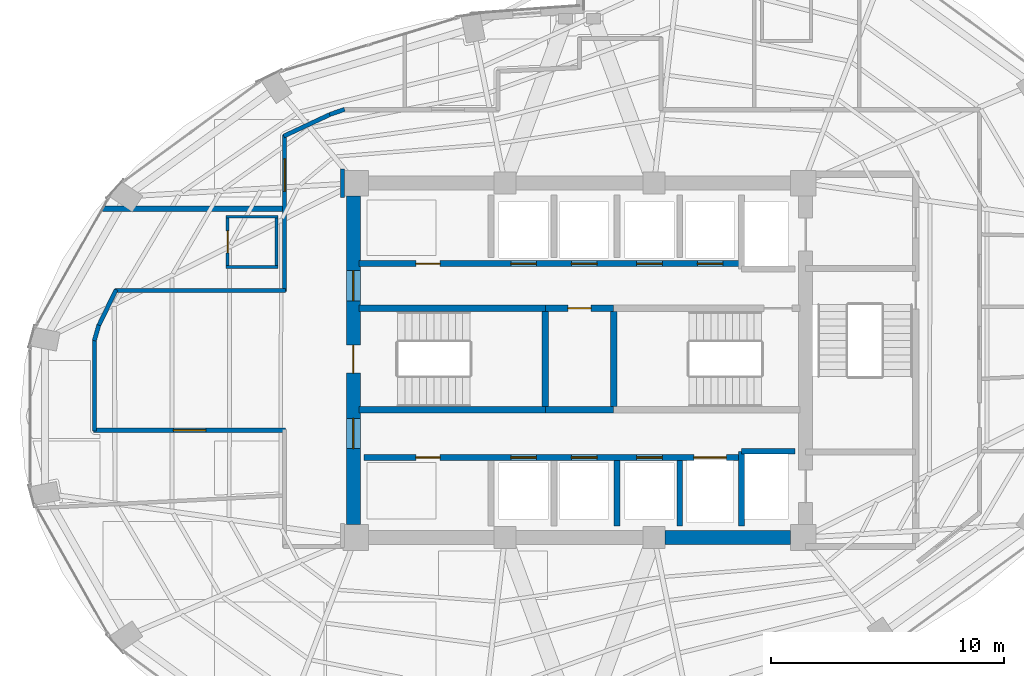
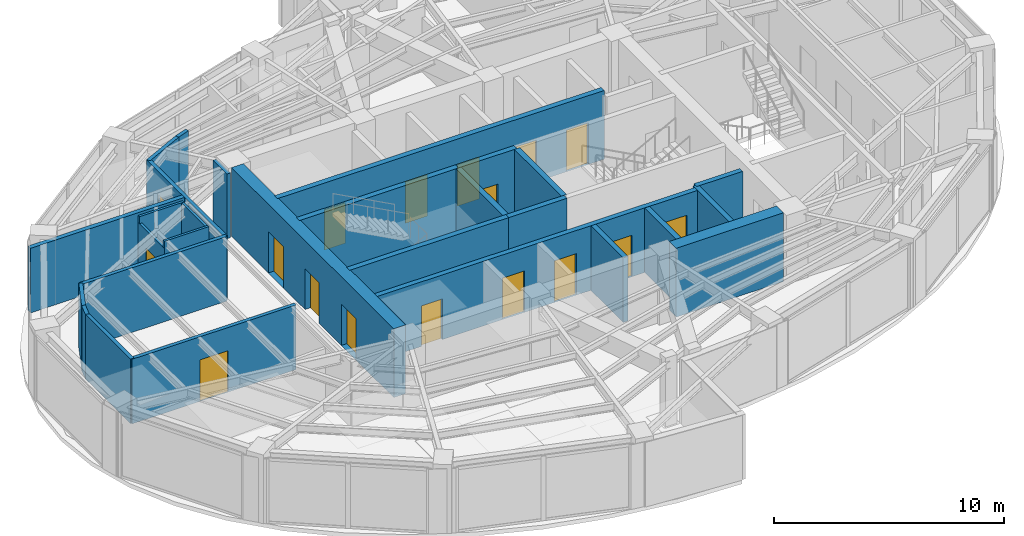
# One storey, part 16 of 20: 28 walls, 17 doors, 17 openings.
"""IFC4 building model written with IfcOpenShell, lengths in metres."""

from ifc_helpers import new_model, si_unit, direction, frame, frame_2d, origin, place, context, subcontext, project, spatial, rectangle, extrude, material, layer, layer_set, type_object, element, fill, save


model = new_model("IFC4")

# Units and contexts
model_context = context("Model", 3, precision=1e-05, world=origin(), true_north=direction((0.0, 1.0)))
body_context = subcontext(model_context, "Body", "Model", "MODEL_VIEW")
ifc_project = project(units=[si_unit("LENGTHUNIT", "METRE"), si_unit("AREAUNIT", "SQUARE_METRE"), si_unit("VOLUMEUNIT", "CUBIC_METRE"), si_unit("PLANEANGLEUNIT", "RADIAN"), si_unit("MASSUNIT", "GRAM", prefix="KILO")], contexts=[model_context])

# Site, building, storey
site_placement = place(None, origin())
site = spatial("IfcSite", under=ifc_project, at=site_placement, CompositionType="ELEMENT")
building_placement = place(site_placement, origin())
building = spatial("IfcBuilding", under=site, at=building_placement, Name="Lazwardi Medical Tower", CompositionType="ELEMENT")
storey_placement = place(building_placement, frame((0.0, 0.0, 145.583984375)))
storey = spatial("IfcBuildingStorey", under=building, at=storey_placement, Name="L37", CompositionType="ELEMENT", Elevation=145.583984375)

# Walls
ifc_material_1 = material(Name="Fire-rated gypsum board on steel stud", Category="steel")
ifc_layer_1 = layer(ifc_material_1, 0.179931640625)
ifc_layer_set_1 = layer_set([ifc_layer_1], Name="Fire-rated gypsum board on steel stud")
wall_type_1 = type_object("IfcWallType", Name="WL-COR-180", PredefinedType="PARTITIONING", material=ifc_layer_set_1)
wall_1_placement = place(storey_placement, frame((15.350341796875, 29.435791015625, 0.0), z_axis=(0.0, 0.0, 1.0), x_axis=(0.436196025907, 0.899851669434, 0.0)))
element("IfcWall", 1, at=wall_1_placement, inside=storey, type_object=wall_type_1, Name="L37 Corridor partition 1", PredefinedType="PARTITIONING", context=body_context, shape_type="SweptSolid", body=[
    extrude(rectangle(XDim=1.778076171875, YDim=0.179931640625, at=frame_2d((0.88916015625, 0.0))), origin(), (0.0, 0.0, 1.0), 3.427978515625),
])
wall_2_placement = place(storey_placement, frame((16.068359375, 31.0, 0.0), z_axis=(0.0, 0.0, 1.0), x_axis=(1.0, 0.0, 0.0)))
element("IfcWall", 2, at=wall_2_placement, inside=storey, type_object=wall_type_1, Name="L37 Corridor partition 2", PredefinedType="PARTITIONING", context=body_context, shape_type="SweptSolid", body=[
    extrude(rectangle(XDim=7.321533203125, YDim=0.179931640625, at=frame_2d((3.66064453125, 0.0))), origin(), (0.0, 0.0, 1.0), 3.427978515625),
])

# Wall, opening, door
wall_3_placement = place(storey_placement, frame((23.35009765625, 30.9599609375, 0.0), z_axis=(0.0, 0.0, 1.0), x_axis=(0.0, 1.0, 0.0)))
wall_3 = element("IfcWall", 3, at=wall_3_placement, inside=storey, type_object=wall_type_1, Name="L37 Corridor partition 3", PredefinedType="PARTITIONING", context=body_context, shape_type="SweptSolid", body=[
    extrude(rectangle(XDim=6.7138671875, YDim=0.179931640625, at=frame_2d((3.35693359375, 0.0))), origin(), (0.0, 0.0, 1.0), 3.427978515625),
])
opening_1_placement = place(wall_3_placement, frame((4.285400390625, 0.0, 0.0)))
opening_1 = element("IfcOpeningElement", 4, at=opening_1_placement, cuts=wall_3, Name="Opening D-L37-018", PredefinedType="OPENING", context=body_context, shape_type="SweptSolid", body=[
    extrude(rectangle(XDim=1.39990234375, YDim=2.199951171875, at=frame_2d((0.699951171875, 1.10009765625))), frame((0.0, 0.099853515625, 0.0), z_axis=(0.0, -1.0, 0.0), x_axis=(1.0, 0.0, 0.0)), (0.0, 0.0, 1.0), 0.199951171875),
])
ifc_material_2 = material(Name="Anti-microbial laminate hospital leaf")
door_type_1 = type_object("IfcDoorType", Name="DR-BED-1400", OperationType="NOTDEFINED", PredefinedType="DOOR", material=ifc_material_2)
door_1_placement = place(opening_1_placement, origin())
door_1 = element("IfcDoor", 5, at=door_1_placement, inside=storey, type_object=door_type_1, Name="L37 Patient Bedroom Door 09", OperationType="SINGLE_SWING_LEFT", OverallHeight=2.199951171875, OverallWidth=1.39990234375, PredefinedType="DOOR", context=body_context, shape_type="SweptSolid", body=[
    extrude(rectangle(XDim=1.39990234375, YDim=2.199951171875, at=frame_2d((0.699951171875, 1.10009765625))), frame((0.0, 0.02490234375, 0.0), z_axis=(0.0, -1.0, 0.0), x_axis=(1.0, 0.0, 0.0)), (0.0, 0.0, 1.0), 0.050048828125),
])
fill(opening_1, door_1)

# Walls
wall_4_placement = place(storey_placement, frame((23.313720703125, 37.616943359375, 0.0), z_axis=(0.0, 0.0, 1.0), x_axis=(0.905731790856, 0.423851298255, 0.0)))
element("IfcWall", 6, at=wall_4_placement, inside=storey, type_object=wall_type_1, Name="L37 Corridor partition 4", PredefinedType="PARTITIONING", context=body_context, shape_type="SweptSolid", body=[
    extrude(rectangle(XDim=2.255126953125, YDim=0.179931640625, at=frame_2d((1.12744140625, 0.0))), origin(), (0.0, 0.0, 1.0), 3.427978515625),
])
wall_5_placement = place(storey_placement, frame((25.2822265625, 38.54248046875, 0.0), z_axis=(0.0, 0.0, 1.0), x_axis=(0.94508059942, 0.326837361085, 0.0)))
element("IfcWall", 7, at=wall_5_placement, inside=storey, type_object=wall_type_1, Name="L37 Corridor partition 5", PredefinedType="PARTITIONING", context=body_context, shape_type="SweptSolid", body=[
    extrude(rectangle(XDim=0.67529296875, YDim=0.179931640625, at=frame_2d((0.337646484375, 0.0))), origin(), (0.0, 0.0, 1.0), 3.427978515625),
])
wall_6_placement = place(storey_placement, frame((25.830078125, 36.2099609375, 0.0), z_axis=(0.0, 0.0, 1.0), x_axis=(0.0, -1.0, 0.0)))
element("IfcWall", 8, at=wall_6_placement, inside=storey, type_object=wall_type_1, Name="L37 Corridor partition 15", PredefinedType="PARTITIONING", context=body_context, shape_type="SweptSolid", body=[
    extrude(rectangle(XDim=1.219970703125, YDim=0.179931640625, at=frame_2d((0.60986328125, 0.0))), origin(), (0.0, 0.0, 1.0), 3.427978515625),
])

# Wall, opening, door
wall_7_placement = place(storey_placement, frame((23.389892578125, 25.0, 0.0), z_axis=(0.0, 0.0, 1.0), x_axis=(-1.0, 0.0, 0.0)))
wall_7 = element("IfcWall", 9, at=wall_7_placement, inside=storey, type_object=wall_type_1, Name="L37 Corridor partition 19", PredefinedType="PARTITIONING", context=body_context, shape_type="SweptSolid", body=[
    extrude(rectangle(XDim=8.22998046875, YDim=0.179931640625, at=frame_2d((4.114990234375, 0.0))), origin(), (0.0, 0.0, 1.0), 3.427978515625),
])
opening_2_placement = place(wall_7_placement, frame((3.4150390625, 0.0, 0.0)))
opening_2 = element("IfcOpeningElement", 10, at=opening_2_placement, cuts=wall_7, Name="Opening D-L37-010", PredefinedType="OPENING", context=body_context, shape_type="SweptSolid", body=[
    extrude(rectangle(XDim=1.39990234375, YDim=2.199951171875, at=frame_2d((0.699951171875, 1.10009765625))), frame((0.0, 0.099853515625, 0.0), z_axis=(0.0, -1.0, 0.0), x_axis=(1.0, 0.0, 0.0)), (0.0, 0.0, 1.0), 0.199951171875),
])
door_2_placement = place(opening_2_placement, origin())
door_2 = element("IfcDoor", 11, at=door_2_placement, inside=storey, type_object=door_type_1, Name="L37 Inpatient Ward Door 01", OperationType="SINGLE_SWING_RIGHT", OverallHeight=2.199951171875, OverallWidth=1.39990234375, PredefinedType="DOOR", context=body_context, shape_type="SweptSolid", body=[
    extrude(rectangle(XDim=1.39990234375, YDim=2.199951171875, at=frame_2d((0.699951171875, 1.10009765625))), frame((0.0, 0.02490234375, 0.0), z_axis=(0.0, -1.0, 0.0), x_axis=(1.0, 0.0, 0.0)), (0.0, 0.0, 1.0), 0.050048828125),
])
fill(opening_2, door_2)

# Walls
wall_8_placement = place(storey_placement, frame((15.199951171875, 24.9599609375, 0.0), z_axis=(0.0, 0.0, 1.0), x_axis=(0.0, 1.0, 0.0)))
element("IfcWall", 12, at=wall_8_placement, inside=storey, type_object=wall_type_1, Name="L37 Corridor partition 20", PredefinedType="PARTITIONING", context=body_context, shape_type="SweptSolid", body=[
    extrude(rectangle(XDim=3.961181640625, YDim=0.179931640625, at=frame_2d((1.98046875, 0.0))), origin(), (0.0, 0.0, 1.0), 3.427978515625),
])
wall_9_placement = place(storey_placement, frame((15.189208984375, 28.842529296875, 0.0), z_axis=(0.0, 0.0, 1.0), x_axis=(0.272862960331, 0.962052911684, 0.0)))
element("IfcWall", 13, at=wall_9_placement, inside=storey, type_object=wall_type_1, Name="L37 Corridor partition 21", PredefinedType="PARTITIONING", context=body_context, shape_type="SweptSolid", body=[
    extrude(rectangle(XDim=0.6943359375, YDim=0.179931640625, at=frame_2d((0.34716796875, 0.0))), origin(), (0.0, 0.0, 1.0), 3.427978515625),
])

# Wall, openings, doors
ifc_material_3 = material(Name="Concrete C60/75", Category="concrete")
ifc_layer_2 = layer(ifc_material_3, 0.60009765625)
ifc_layer_set_2 = layer_set([ifc_layer_2], Name="Concrete C60/75")
wall_type_2 = type_object("IfcWallType", Name="WL-CORE-600", PredefinedType="SHEAR", material=ifc_layer_set_2)
wall_10_placement = place(storey_placement, frame((26.300048828125, 20.949951171875, 0.0), z_axis=(0.0, 0.0, 1.0), x_axis=(0.0, 1.0, 0.0)))
wall_10 = element("IfcWall", 14, at=wall_10_placement, inside=storey, type_object=wall_type_2, Name="Core wall CW-S3 west L37", PredefinedType="SHEAR", context=body_context, shape_type="SweptSolid", body=[
    extrude(rectangle(XDim=14.10009765625, YDim=0.60009765625, at=frame_2d((7.050048828125, 0.0))), origin(), (0.0, 0.0, 1.0), 3.64794921875),
])
opening_3_placement = place(wall_10_placement, frame((6.5, 0.0, 0.0)))
opening_3 = element("IfcOpeningElement", 15, at=opening_3_placement, cuts=wall_10, Name="Opening D-L37-019", PredefinedType="OPENING", context=body_context, shape_type="SweptSolid", body=[
    extrude(rectangle(XDim=1.199951171875, YDim=2.14990234375, at=frame_2d((0.60009765625, 1.074951171875))), frame((0.0, 0.31005859375, 0.0), z_axis=(0.0, -1.0, 0.0), x_axis=(1.0, 0.0, 0.0)), (0.0, 0.0, 1.0), 0.6201171875),
])
opening_4_placement = place(wall_10_placement, frame((9.60009765625, 0.0, 0.0)))
opening_4 = element("IfcOpeningElement", 16, at=opening_4_placement, cuts=wall_10, Name="Opening D-L37-008", PredefinedType="OPENING", context=body_context, shape_type="SweptSolid", body=[
    extrude(rectangle(XDim=1.300048828125, YDim=2.199951171875, at=frame_2d((0.64990234375, 1.10009765625))), frame((0.0, 0.31005859375, 0.0), z_axis=(0.0, -1.0, 0.0), x_axis=(1.0, 0.0, 0.0)), (0.0, 0.0, 1.0), 0.6201171875),
])
opening_5_placement = place(wall_10_placement, frame((3.260009765625, 0.0, 0.0)))
opening_5 = element("IfcOpeningElement", 17, at=opening_5_placement, cuts=wall_10, Name="Opening D-L37-009", PredefinedType="OPENING", context=body_context, shape_type="SweptSolid", body=[
    extrude(rectangle(XDim=1.300048828125, YDim=2.199951171875, at=frame_2d((0.64990234375, 1.10009765625))), frame((0.0, 0.31005859375, 0.0), z_axis=(0.0, -1.0, 0.0), x_axis=(1.0, 0.0, 0.0)), (0.0, 0.0, 1.0), 0.6201171875),
])
ifc_material_4 = material(Name="Fire-rated steel leaf and frame", Category="steel")
door_type_2 = type_object("IfcDoorType", Name="DR-FFL-1300", OperationType="NOTDEFINED", PredefinedType="DOOR", material=ifc_material_4)
door_3_placement = place(opening_4_placement, origin())
door_3 = element("IfcDoor", 18, at=door_3_placement, inside=storey, type_object=door_type_2, Name="L37 North Lift Lobby Door", OperationType="SINGLE_SWING_RIGHT", OverallHeight=2.199951171875, OverallWidth=1.300048828125, PredefinedType="DOOR", context=body_context, shape_type="SweptSolid", body=[
    extrude(rectangle(XDim=1.300048828125, YDim=2.199951171875, at=frame_2d((0.64990234375, 1.10009765625))), frame((0.0, 0.02490234375, 0.0), z_axis=(0.0, -1.0, 0.0), x_axis=(1.0, 0.0, 0.0)), (0.0, 0.0, 1.0), 0.050048828125),
])
fill(opening_4, door_3)
door_4_placement = place(opening_5_placement, origin())
door_4 = element("IfcDoor", 19, at=door_4_placement, inside=storey, type_object=door_type_2, Name="L37 South Lift Lobby Door", OperationType="SINGLE_SWING_LEFT", OverallHeight=2.199951171875, OverallWidth=1.300048828125, PredefinedType="DOOR", context=body_context, shape_type="SweptSolid", body=[
    extrude(rectangle(XDim=1.300048828125, YDim=2.199951171875, at=frame_2d((0.64990234375, 1.10009765625))), frame((0.0, 0.02490234375, 0.0), z_axis=(0.0, -1.0, 0.0), x_axis=(1.0, 0.0, 0.0)), (0.0, 0.0, 1.0), 0.050048828125),
])
fill(opening_5, door_4)
door_type_3 = type_object("IfcDoorType", Name="DR-STR-1200", OperationType="NOTDEFINED", PredefinedType="DOOR", material=ifc_material_4)
door_5_placement = place(opening_3_placement, origin())
door_5 = element("IfcDoor", 20, at=door_5_placement, inside=storey, type_object=door_type_3, Name="L37 Exit Stair ST1 Door", OperationType="SINGLE_SWING_LEFT", OverallHeight=2.14990234375, OverallWidth=1.199951171875, PredefinedType="DOOR", context=body_context, shape_type="SweptSolid", body=[
    extrude(rectangle(XDim=1.199951171875, YDim=2.14990234375, at=frame_2d((0.60009765625, 1.074951171875))), frame((0.0, 0.02490234375, 0.0), z_axis=(0.0, -1.0, 0.0), x_axis=(1.0, 0.0, 0.0)), (0.0, 0.0, 1.0), 0.050048828125),
])
fill(opening_3, door_5)

# Walls
wall_11_placement = place(storey_placement, frame((39.675048828125, 20.39990234375, 0.0), z_axis=(0.0, 0.0, 1.0), x_axis=(1.0, 0.0, 0.0)))
element("IfcWall", 21, at=wall_11_placement, inside=storey, type_object=wall_type_2, Name="Core wall CW-S3 S3 L37", PredefinedType="SHEAR", context=body_context, shape_type="SweptSolid", body=[
    extrude(rectangle(XDim=5.375, YDim=0.60009765625, at=frame_2d((2.6875, 0.0))), origin(), (0.0, 0.0, 1.0), 3.64794921875),
])
ifc_material_5 = material(Name="Moisture-resistant gypsum board partition")
ifc_layer_3 = layer(ifc_material_5, 0.125)
ifc_layer_set_3 = layer_set([ifc_layer_3], Name="Moisture-resistant gypsum board partition")
wall_type_3 = type_object("IfcWallType", Name="WL-ENS-125", PredefinedType="PARTITIONING", material=ifc_layer_set_3)
for number, where, z_axis, x_axis, name in (
    (22, (20.844970703125, 34.159912109375, 0.0), (0.0, 0.0, 1.0), (1.0, 0.0, 0.0), "L37 En-suite wall 1N"),
    (23, (20.844970703125, 32.0, 0.0), (0.0, 0.0, 1.0), (1.0, 0.0, 0.0), "L37 En-suite wall 1S"),
):
    element("IfcWall", number, at=place(storey_placement, frame(where, z_axis=z_axis, x_axis=x_axis)), inside=storey, type_object=wall_type_3, Name=name, PredefinedType="PARTITIONING", context=body_context, shape_type="SweptSolid", body=[
        extrude(rectangle(XDim=2.219970703125, YDim=0.125, at=frame_2d((1.10986328125, 0.0))), origin(), (0.0, 0.0, 1.0), 3.427978515625),
    ])
wall_12_placement = place(storey_placement, frame((23.0048828125, 31.93994140625, 0.0), z_axis=(0.0, 0.0, 1.0), x_axis=(0.0, 1.0, 0.0)))
element("IfcWall", 24, at=wall_12_placement, inside=storey, type_object=wall_type_3, Name="L37 En-suite wall 1E", PredefinedType="PARTITIONING", context=body_context, shape_type="SweptSolid", body=[
    extrude(rectangle(XDim=2.280029296875, YDim=0.125, at=frame_2d((1.14013671875, 0.0))), origin(), (0.0, 0.0, 1.0), 3.427978515625),
])

# Wall, opening, door
wall_13_placement = place(storey_placement, frame((20.905029296875, 31.93994140625, 0.0), z_axis=(0.0, 0.0, 1.0), x_axis=(0.0, 1.0, 0.0)))
wall_13 = element("IfcWall", 25, at=wall_13_placement, inside=storey, type_object=wall_type_3, Name="L37 En-suite wall 1W", PredefinedType="PARTITIONING", context=body_context, shape_type="SweptSolid", body=[
    extrude(rectangle(XDim=2.280029296875, YDim=0.125, at=frame_2d((1.14013671875, 0.0))), origin(), (0.0, 0.0, 1.0), 3.052978515625),
])
opening_6_placement = place(wall_13_placement, frame((0.6650390625, 0.0, 0.0)))
opening_6 = element("IfcOpeningElement", 26, at=opening_6_placement, cuts=wall_13, Name="Opening D-L37-002", PredefinedType="OPENING", context=body_context, shape_type="SweptSolid", body=[
    extrude(rectangle(XDim=0.949951171875, YDim=2.10009765625, at=frame_2d((0.47509765625, 1.050048828125))), frame((0.0, 0.072509765625, 0.0), z_axis=(0.0, -1.0, 0.0), x_axis=(1.0, 0.0, 0.0)), (0.0, 0.0, 1.0), 0.14501953125),
])
ifc_material_6 = material(Name="Moisture-resistant laminate door leaf")
door_type_4 = type_object("IfcDoorType", Name="DR-ENS-950", OperationType="NOTDEFINED", PredefinedType="DOOR", material=ifc_material_6)
door_6_placement = place(opening_6_placement, origin())
door_6 = element("IfcDoor", 27, at=door_6_placement, inside=storey, type_object=door_type_4, Name="L37 En-suite Door 01", OperationType="SINGLE_SWING_LEFT", OverallHeight=2.10009765625, OverallWidth=0.949951171875, PredefinedType="DOOR", context=body_context, shape_type="SweptSolid", body=[
    extrude(rectangle(XDim=0.949951171875, YDim=2.10009765625, at=frame_2d((0.47509765625, 1.050048828125))), frame((0.0, 0.02490234375, 0.0), z_axis=(0.0, -1.0, 0.0), x_axis=(1.0, 0.0, 0.0)), (0.0, 0.0, 1.0), 0.050048828125),
])
fill(opening_6, door_6)

# Wall, openings, doors
ifc_material_7 = material(Name="Autoclaved aerated concrete blockwork", Category="masonry")
ifc_layer_4 = layer(ifc_material_7, 0.25)
ifc_layer_set_4 = layer_set([ifc_layer_4], Name="Autoclaved aerated concrete blockwork")
wall_type_4 = type_object("IfcWallType", Name="WL-SHAFT-250", PredefinedType="SOLIDWALL", material=ifc_layer_set_4)
wall_14_placement = place(storey_placement, frame((26.75, 23.830078125, 0.0), z_axis=(0.0, 0.0, 1.0), x_axis=(1.0, 0.0, 0.0)))
wall_14 = element("IfcWall", 28, at=wall_14_placement, inside=storey, type_object=wall_type_4, Name="L37 South lift bank front wall", PredefinedType="SOLIDWALL", context=body_context, shape_type="SweptSolid", body=[
    extrude(rectangle(XDim=16.199951171875, YDim=0.25, at=frame_2d((8.10009765625, 0.0))), origin(), (0.0, 0.0, 1.0), 3.427978515625),
])
opening_7_placement = place(wall_14_placement, frame((2.22509765625, 0.0, 0.0)))
opening_7 = element("IfcOpeningElement", 29, at=opening_7_placement, cuts=wall_14, Name="Opening D-L37-005", PredefinedType="OPENING", context=body_context, shape_type="SweptSolid", body=[
    extrude(rectangle(XDim=1.050048828125, YDim=2.14990234375, at=frame_2d((0.52490234375, 1.074951171875))), frame((0.0, 0.135009765625, 0.0), z_axis=(0.0, -1.0, 0.0), x_axis=(1.0, 0.0, 0.0)), (0.0, 0.0, 1.0), 0.27001953125),
])
opening_8_placement = place(wall_14_placement, frame((6.300048828125, 0.0, 0.0)))
opening_8 = element("IfcOpeningElement", 30, at=opening_8_placement, cuts=wall_14, Name="Opening LD-L37-006", PredefinedType="OPENING", context=body_context, shape_type="SweptSolid", body=[
    extrude(rectangle(XDim=1.10009765625, YDim=2.199951171875, at=frame_2d((0.550048828125, 1.10009765625))), frame((0.0, 0.135009765625, 0.0), z_axis=(0.0, -1.0, 0.0), x_axis=(1.0, 0.0, 0.0)), (0.0, 0.0, 1.0), 0.27001953125),
])
opening_9_placement = place(wall_14_placement, frame((8.89990234375, 0.0, 0.0)))
opening_9 = element("IfcOpeningElement", 31, at=opening_9_placement, cuts=wall_14, Name="Opening LD-L37-007", PredefinedType="OPENING", context=body_context, shape_type="SweptSolid", body=[
    extrude(rectangle(XDim=1.10009765625, YDim=2.199951171875, at=frame_2d((0.550048828125, 1.10009765625))), frame((0.0, 0.135009765625, 0.0), z_axis=(0.0, -1.0, 0.0), x_axis=(1.0, 0.0, 0.0)), (0.0, 0.0, 1.0), 0.27001953125),
])
opening_10_placement = place(wall_14_placement, frame((11.699951171875, 0.0, 0.0)))
opening_10 = element("IfcOpeningElement", 32, at=opening_10_placement, cuts=wall_14, Name="Opening LD-L37-010", PredefinedType="OPENING", context=body_context, shape_type="SweptSolid", body=[
    extrude(rectangle(XDim=1.10009765625, YDim=2.199951171875, at=frame_2d((0.550048828125, 1.10009765625))), frame((0.0, 0.135009765625, 0.0), z_axis=(0.0, -1.0, 0.0), x_axis=(1.0, 0.0, 0.0)), (0.0, 0.0, 1.0), 0.27001953125),
])
opening_11_placement = place(wall_14_placement, frame((14.14990234375, 0.0, 0.0)))
opening_11 = element("IfcOpeningElement", 33, at=opening_11_placement, cuts=wall_14, Name="Opening LD-L37-003", PredefinedType="OPENING", context=body_context, shape_type="SweptSolid", body=[
    extrude(rectangle(XDim=1.39990234375, YDim=2.300048828125, at=frame_2d((0.699951171875, 1.14990234375))), frame((0.0, 0.135009765625, 0.0), z_axis=(0.0, -1.0, 0.0), x_axis=(1.0, 0.0, 0.0)), (0.0, 0.0, 1.0), 0.27001953125),
])
door_type_5 = type_object("IfcDoorType", Name="DR-CLN-1050", OperationType="NOTDEFINED", PredefinedType="DOOR", material=ifc_material_2)
door_7_placement = place(opening_7_placement, origin())
door_7 = element("IfcDoor", 34, at=door_7_placement, inside=storey, type_object=door_type_5, Name="L37 Medication Door", OperationType="SINGLE_SWING_LEFT", OverallHeight=2.14990234375, OverallWidth=1.050048828125, PredefinedType="DOOR", context=body_context, shape_type="SweptSolid", body=[
    extrude(rectangle(XDim=1.050048828125, YDim=2.14990234375, at=frame_2d((0.52490234375, 1.074951171875))), frame((0.0, 0.02490234375, 0.0), z_axis=(0.0, -1.0, 0.0), x_axis=(1.0, 0.0, 0.0)), (0.0, 0.0, 1.0), 0.050048828125),
])
fill(opening_7, door_7)
ifc_material_8 = material(Name="Brushed bronze stainless steel landing door", Category="steel")
door_type_6 = type_object("IfcDoorType", Name="DR-LFT-1100", OperationType="NOTDEFINED", PredefinedType="DOOR", material=ifc_material_8)
door_8_placement = place(opening_8_placement, origin())
door_8 = element("IfcDoor", 35, at=door_8_placement, inside=storey, type_object=door_type_6, Name="L37 Lift Landing Door PL-07", OperationType="SLIDING_TO_LEFT", OverallHeight=2.199951171875, OverallWidth=1.10009765625, PredefinedType="DOOR", context=body_context, shape_type="SweptSolid", body=[
    extrude(rectangle(XDim=1.10009765625, YDim=2.199951171875, at=frame_2d((0.550048828125, 1.10009765625))), frame((0.0, 0.02490234375, 0.0), z_axis=(0.0, -1.0, 0.0), x_axis=(1.0, 0.0, 0.0)), (0.0, 0.0, 1.0), 0.050048828125),
])
fill(opening_8, door_8)
door_9_placement = place(opening_9_placement, origin())
door_9 = element("IfcDoor", 36, at=door_9_placement, inside=storey, type_object=door_type_6, Name="L37 Lift Landing Door PL-08", OperationType="SLIDING_TO_LEFT", OverallHeight=2.199951171875, OverallWidth=1.10009765625, PredefinedType="DOOR", context=body_context, shape_type="SweptSolid", body=[
    extrude(rectangle(XDim=1.10009765625, YDim=2.199951171875, at=frame_2d((0.550048828125, 1.10009765625))), frame((0.0, 0.02490234375, 0.0), z_axis=(0.0, -1.0, 0.0), x_axis=(1.0, 0.0, 0.0)), (0.0, 0.0, 1.0), 0.050048828125),
])
fill(opening_9, door_9)
door_10_placement = place(opening_10_placement, origin())
door_10 = element("IfcDoor", 37, at=door_10_placement, inside=storey, type_object=door_type_6, Name="L37 Lift Landing Door PL-11", OperationType="SLIDING_TO_LEFT", OverallHeight=2.199951171875, OverallWidth=1.10009765625, PredefinedType="DOOR", context=body_context, shape_type="SweptSolid", body=[
    extrude(rectangle(XDim=1.10009765625, YDim=2.199951171875, at=frame_2d((0.550048828125, 1.10009765625))), frame((0.0, 0.02490234375, 0.0), z_axis=(0.0, -1.0, 0.0), x_axis=(1.0, 0.0, 0.0)), (0.0, 0.0, 1.0), 0.050048828125),
])
fill(opening_10, door_10)
ifc_material_9 = material(Name="Brushed stainless steel bed-lift landing door", Category="steel")
door_type_7 = type_object("IfcDoorType", Name="DR-LFT-1400", OperationType="NOTDEFINED", PredefinedType="DOOR", material=ifc_material_9)
door_11_placement = place(opening_11_placement, origin())
door_11 = element("IfcDoor", 38, at=door_11_placement, inside=storey, type_object=door_type_7, Name="L37 Lift Landing Door FL-03", OperationType="SLIDING_TO_LEFT", OverallHeight=2.300048828125, OverallWidth=1.39990234375, PredefinedType="DOOR", context=body_context, shape_type="SweptSolid", body=[
    extrude(rectangle(XDim=1.39990234375, YDim=2.300048828125, at=frame_2d((0.699951171875, 1.14990234375))), frame((0.0, 0.02490234375, 0.0), z_axis=(0.0, -1.0, 0.0), x_axis=(1.0, 0.0, 0.0)), (0.0, 0.0, 1.0), 0.050048828125),
])
fill(opening_11, door_11)

# Walls
wall_15_placement = place(storey_placement, frame((42.949951171875, 20.89990234375, 0.0), z_axis=(0.0, 0.0, 1.0), x_axis=(0.0, 1.0, 0.0)))
element("IfcWall", 39, at=wall_15_placement, inside=storey, type_object=wall_type_4, Name="L37 FL-02 West shaft wall", PredefinedType="SOLIDWALL", context=body_context, shape_type="SweptSolid", body=[
    extrude(rectangle(XDim=3.2001953125, YDim=0.25, at=frame_2d((1.60009765625, 0.0))), origin(), (0.0, 0.0, 1.0), 3.427978515625),
])
wall_16_placement = place(storey_placement, frame((42.949951171875, 24.10009765625, 0.0), z_axis=(0.0, 0.0, 1.0), x_axis=(1.0, 0.0, 0.0)))
element("IfcWall", 40, at=wall_16_placement, inside=storey, type_object=wall_type_4, Name="L37 FL-02 North shaft wall", PredefinedType="SOLIDWALL", context=body_context, shape_type="SweptSolid", body=[
    extrude(rectangle(XDim=2.300048828125, YDim=0.25, at=frame_2d((1.14990234375, 0.0))), origin(), (0.0, 0.0, 1.0), 3.427978515625),
])
for number, where, z_axis, x_axis, name in (
    (41, (37.60009765625, 20.89990234375, 0.0), (0.0, 0.0, 1.0), (0.0, 1.0, 0.0), "L37 South hoistway divider"),
    (42, (40.300048828125, 20.89990234375, 0.0), (0.0, 0.0, 1.0), (0.0, 1.0, 0.0), "L37 South hoistway divider"),
):
    element("IfcWall", number, at=place(storey_placement, frame(where, z_axis=z_axis, x_axis=x_axis)), inside=storey, type_object=wall_type_4, Name=name, PredefinedType="SOLIDWALL", context=body_context, shape_type="SweptSolid", body=[
        extrude(rectangle(XDim=2.800048828125, YDim=0.25, at=frame_2d((1.39990234375, 0.0))), origin(), (0.0, 0.0, 1.0), 3.427978515625),
    ])
ifc_layer_5 = layer(ifc_material_1, 0.219970703125)
ifc_layer_set_5 = layer_set([ifc_layer_5], Name="Fire-rated gypsum board on steel stud")
wall_type_5 = type_object("IfcWallType", Name="WL-SMK-220", PredefinedType="PARTITIONING", material=ifc_layer_set_5)
wall_17_placement = place(storey_placement, frame((15.5439453125, 34.5, 0.0), z_axis=(0.0, 0.0, 1.0), x_axis=(1.0, 0.0, 0.0)))
element("IfcWall", 43, at=wall_17_placement, inside=storey, type_object=wall_type_5, Name="L37 Room partition 2", PredefinedType="PARTITIONING", context=body_context, shape_type="SweptSolid", body=[
    extrude(rectangle(XDim=7.716064453125, YDim=0.219970703125, at=frame_2d((3.85791015625, 0.0))), origin(), (0.0, 0.0, 1.0), 3.427978515625),
])
ifc_material_10 = material(Name="Concrete C50/60", Category="concrete")
ifc_layer_6 = layer(ifc_material_10, 0.27001953125)
ifc_layer_set_6 = layer_set([ifc_layer_6], Name="Concrete C50/60")
wall_type_6 = type_object("IfcWallType", Name="WL-STR-250", PredefinedType="SHEAR", material=ifc_layer_set_6)
wall_18_placement = place(storey_placement, frame((26.550048828125, 30.235107421875, 0.0), z_axis=(0.0, 0.0, 1.0), x_axis=(1.0, 0.0, 0.0)))
element("IfcWall", 44, at=wall_18_placement, inside=storey, type_object=wall_type_6, Name="L37 ST1 North shear shaft wall SW-S1", PredefinedType="SHEAR", context=body_context, shape_type="SweptSolid", body=[
    extrude(rectangle(XDim=7.98486328125, YDim=0.27001953125, at=frame_2d((3.992431640625, 0.0))), origin(), (0.0, 0.0, 1.0), 3.64794921875),
])

# Wall, opening, door
wall_19_placement = place(storey_placement, frame((34.534912109375, 30.235107421875, 0.0), z_axis=(0.0, 0.0, 1.0), x_axis=(1.0, 0.0, 0.0)))
wall_19 = element("IfcWall", 45, at=wall_19_placement, inside=storey, type_object=wall_type_6, Name="L37 Core service North shear wall SW-S1", PredefinedType="SHEAR", context=body_context, shape_type="SweptSolid", body=[
    extrude(rectangle(XDim=2.93017578125, YDim=0.27001953125, at=frame_2d((1.465087890625, 0.0))), origin(), (0.0, 0.0, 1.0), 3.64794921875),
])
opening_12_placement = place(wall_19_placement, frame((0.965087890625, 0.0, 0.0)))
opening_12 = element("IfcOpeningElement", 46, at=opening_12_placement, cuts=wall_19, Name="Opening D-L37-001", PredefinedType="OPENING", context=body_context, shape_type="SweptSolid", body=[
    extrude(rectangle(XDim=1.0, YDim=2.10009765625, at=frame_2d((0.5, 1.050048828125))), frame((0.0, 0.14501953125, 0.0), z_axis=(0.0, -1.0, 0.0), x_axis=(1.0, 0.0, 0.0)), (0.0, 0.0, 1.0), 0.2900390625),
])
door_type_8 = type_object("IfcDoorType", Name="DR-AWC-1000", OperationType="NOTDEFINED", PredefinedType="DOOR", material=ifc_material_6)
door_12_placement = place(opening_12_placement, origin())
door_12 = element("IfcDoor", 47, at=door_12_placement, inside=storey, type_object=door_type_8, Name="L37 Accessible WC Door", OperationType="SINGLE_SWING_LEFT", OverallHeight=2.10009765625, OverallWidth=1.0, PredefinedType="DOOR", context=body_context, shape_type="SweptSolid", body=[
    extrude(rectangle(XDim=1.0, YDim=2.10009765625, at=frame_2d((0.5, 1.050048828125))), frame((0.0, 0.02490234375, 0.0), z_axis=(0.0, -1.0, 0.0), x_axis=(1.0, 0.0, 0.0)), (0.0, 0.0, 1.0), 0.050048828125),
])
fill(opening_12, door_12)

# Walls
wall_20_placement = place(storey_placement, frame((26.550048828125, 25.885009765625, 0.0), z_axis=(0.0, 0.0, 1.0), x_axis=(1.0, 0.0, 0.0)))
element("IfcWall", 48, at=wall_20_placement, inside=storey, type_object=wall_type_6, Name="L37 ST1 South shear shaft wall SW-S1", PredefinedType="SHEAR", context=body_context, shape_type="SweptSolid", body=[
    extrude(rectangle(XDim=7.98486328125, YDim=0.27001953125, at=frame_2d((3.992431640625, 0.0))), origin(), (0.0, 0.0, 1.0), 3.64794921875),
])
wall_21_placement = place(storey_placement, frame((34.534912109375, 25.885009765625, 0.0), z_axis=(0.0, 0.0, 1.0), x_axis=(1.0, 0.0, 0.0)))
element("IfcWall", 49, at=wall_21_placement, inside=storey, type_object=wall_type_6, Name="L37 Core service South shear wall SW-S1", PredefinedType="SHEAR", context=body_context, shape_type="SweptSolid", body=[
    extrude(rectangle(XDim=2.93017578125, YDim=0.27001953125, at=frame_2d((1.465087890625, 0.0))), origin(), (0.0, 0.0, 1.0), 3.64794921875),
])
for number, where, z_axis, x_axis, name in (
    (50, (34.534912109375, 26.02001953125, 0.0), (0.0, 0.0, 1.0), (0.0, 1.0, 0.0), "L37 ST1 East shear shaft wall SW-S1"),
    (51, (37.465087890625, 26.02001953125, 0.0), (0.0, 0.0, 1.0), (0.0, 1.0, 0.0), "L37 ST2 West shear shaft wall SW-S1"),
):
    element("IfcWall", number, at=place(storey_placement, frame(where, z_axis=z_axis, x_axis=x_axis)), inside=storey, type_object=wall_type_6, Name=name, PredefinedType="SHEAR", context=body_context, shape_type="SweptSolid", body=[
        extrude(rectangle(XDim=4.080078125, YDim=0.27001953125, at=frame_2d((2.0400390625, 0.0))), origin(), (0.0, 0.0, 1.0), 3.64794921875),
    ])

# Wall, openings, doors
wall_22_placement = place(storey_placement, frame((26.550048828125, 32.14990234375, 0.0), z_axis=(0.0, 0.0, 1.0), x_axis=(1.0, 0.0, 0.0)))
wall_22 = element("IfcWall", 52, at=wall_22_placement, inside=storey, type_object=wall_type_6, Name="L37 North lift bank shear wall SW-S1", PredefinedType="SHEAR", context=body_context, shape_type="SweptSolid", body=[
    extrude(rectangle(XDim=16.39990234375, YDim=0.27001953125, at=frame_2d((8.199951171875, 0.0))), origin(), (0.0, 0.0, 1.0), 3.64794921875),
])
opening_13_placement = place(wall_22_placement, frame((2.425048828125, 0.0, 0.0)))
opening_13 = element("IfcOpeningElement", 53, at=opening_13_placement, cuts=wall_22, Name="Opening D-L37-004", PredefinedType="OPENING", context=body_context, shape_type="SweptSolid", body=[
    extrude(rectangle(XDim=1.050048828125, YDim=2.14990234375, at=frame_2d((0.52490234375, 1.074951171875))), frame((0.0, 0.14501953125, 0.0), z_axis=(0.0, -1.0, 0.0), x_axis=(1.0, 0.0, 0.0)), (0.0, 0.0, 1.0), 0.2900390625),
])
opening_14_placement = place(wall_22_placement, frame((6.5, 0.0, 0.0)))
opening_14 = element("IfcOpeningElement", 54, at=opening_14_placement, cuts=wall_22, Name="Opening LD-L37-004", PredefinedType="OPENING", context=body_context, shape_type="SweptSolid", body=[
    extrude(rectangle(XDim=1.10009765625, YDim=2.199951171875, at=frame_2d((0.550048828125, 1.10009765625))), frame((0.0, 0.14501953125, 0.0), z_axis=(0.0, -1.0, 0.0), x_axis=(1.0, 0.0, 0.0)), (0.0, 0.0, 1.0), 0.2900390625),
])
opening_15_placement = place(wall_22_placement, frame((9.10009765625, 0.0, 0.0)))
opening_15 = element("IfcOpeningElement", 55, at=opening_15_placement, cuts=wall_22, Name="Opening LD-L37-005", PredefinedType="OPENING", context=body_context, shape_type="SweptSolid", body=[
    extrude(rectangle(XDim=1.10009765625, YDim=2.199951171875, at=frame_2d((0.550048828125, 1.10009765625))), frame((0.0, 0.14501953125, 0.0), z_axis=(0.0, -1.0, 0.0), x_axis=(1.0, 0.0, 0.0)), (0.0, 0.0, 1.0), 0.2900390625),
])
opening_16_placement = place(wall_22_placement, frame((11.89990234375, 0.0, 0.0)))
opening_16 = element("IfcOpeningElement", 56, at=opening_16_placement, cuts=wall_22, Name="Opening LD-L37-008", PredefinedType="OPENING", context=body_context, shape_type="SweptSolid", body=[
    extrude(rectangle(XDim=1.10009765625, YDim=2.199951171875, at=frame_2d((0.550048828125, 1.10009765625))), frame((0.0, 0.14501953125, 0.0), z_axis=(0.0, -1.0, 0.0), x_axis=(1.0, 0.0, 0.0)), (0.0, 0.0, 1.0), 0.2900390625),
])
opening_17_placement = place(wall_22_placement, frame((14.5, 0.0, 0.0)))
opening_17 = element("IfcOpeningElement", 57, at=opening_17_placement, cuts=wall_22, Name="Opening LD-L37-009", PredefinedType="OPENING", context=body_context, shape_type="SweptSolid", body=[
    extrude(rectangle(XDim=1.10009765625, YDim=2.199951171875, at=frame_2d((0.550048828125, 1.10009765625))), frame((0.0, 0.14501953125, 0.0), z_axis=(0.0, -1.0, 0.0), x_axis=(1.0, 0.0, 0.0)), (0.0, 0.0, 1.0), 0.2900390625),
])
door_13_placement = place(opening_13_placement, origin())
door_13 = element("IfcDoor", 58, at=door_13_placement, inside=storey, type_object=door_type_5, Name="L37 Telemedicine Door", OperationType="SINGLE_SWING_RIGHT", OverallHeight=2.14990234375, OverallWidth=1.050048828125, PredefinedType="DOOR", context=body_context, shape_type="SweptSolid", body=[
    extrude(rectangle(XDim=1.050048828125, YDim=2.14990234375, at=frame_2d((0.52490234375, 1.074951171875))), frame((0.0, 0.02490234375, 0.0), z_axis=(0.0, -1.0, 0.0), x_axis=(1.0, 0.0, 0.0)), (0.0, 0.0, 1.0), 0.050048828125),
])
fill(opening_13, door_13)
door_14_placement = place(opening_14_placement, origin())
door_14 = element("IfcDoor", 59, at=door_14_placement, inside=storey, type_object=door_type_6, Name="L37 Lift Landing Door PL-05", OperationType="SLIDING_TO_LEFT", OverallHeight=2.199951171875, OverallWidth=1.10009765625, PredefinedType="DOOR", context=body_context, shape_type="SweptSolid", body=[
    extrude(rectangle(XDim=1.10009765625, YDim=2.199951171875, at=frame_2d((0.550048828125, 1.10009765625))), frame((0.0, 0.02490234375, 0.0), z_axis=(0.0, -1.0, 0.0), x_axis=(1.0, 0.0, 0.0)), (0.0, 0.0, 1.0), 0.050048828125),
])
fill(opening_14, door_14)
door_15_placement = place(opening_15_placement, origin())
door_15 = element("IfcDoor", 60, at=door_15_placement, inside=storey, type_object=door_type_6, Name="L37 Lift Landing Door PL-06", OperationType="SLIDING_TO_LEFT", OverallHeight=2.199951171875, OverallWidth=1.10009765625, PredefinedType="DOOR", context=body_context, shape_type="SweptSolid", body=[
    extrude(rectangle(XDim=1.10009765625, YDim=2.199951171875, at=frame_2d((0.550048828125, 1.10009765625))), frame((0.0, 0.02490234375, 0.0), z_axis=(0.0, -1.0, 0.0), x_axis=(1.0, 0.0, 0.0)), (0.0, 0.0, 1.0), 0.050048828125),
])
fill(opening_15, door_15)
door_16_placement = place(opening_16_placement, origin())
door_16 = element("IfcDoor", 61, at=door_16_placement, inside=storey, type_object=door_type_6, Name="L37 Lift Landing Door PL-09", OperationType="SLIDING_TO_LEFT", OverallHeight=2.199951171875, OverallWidth=1.10009765625, PredefinedType="DOOR", context=body_context, shape_type="SweptSolid", body=[
    extrude(rectangle(XDim=1.10009765625, YDim=2.199951171875, at=frame_2d((0.550048828125, 1.10009765625))), frame((0.0, 0.02490234375, 0.0), z_axis=(0.0, -1.0, 0.0), x_axis=(1.0, 0.0, 0.0)), (0.0, 0.0, 1.0), 0.050048828125),
])
fill(opening_16, door_16)
door_17_placement = place(opening_17_placement, origin())
door_17 = element("IfcDoor", 62, at=door_17_placement, inside=storey, type_object=door_type_6, Name="L37 Lift Landing Door PL-10", OperationType="SLIDING_TO_LEFT", OverallHeight=2.199951171875, OverallWidth=1.10009765625, PredefinedType="DOOR", context=body_context, shape_type="SweptSolid", body=[
    extrude(rectangle(XDim=1.10009765625, YDim=2.199951171875, at=frame_2d((0.550048828125, 1.10009765625))), frame((0.0, 0.02490234375, 0.0), z_axis=(0.0, -1.0, 0.0), x_axis=(1.0, 0.0, 0.0)), (0.0, 0.0, 1.0), 0.050048828125),
])
fill(opening_17, door_17)

save(model, "model.ifc")
